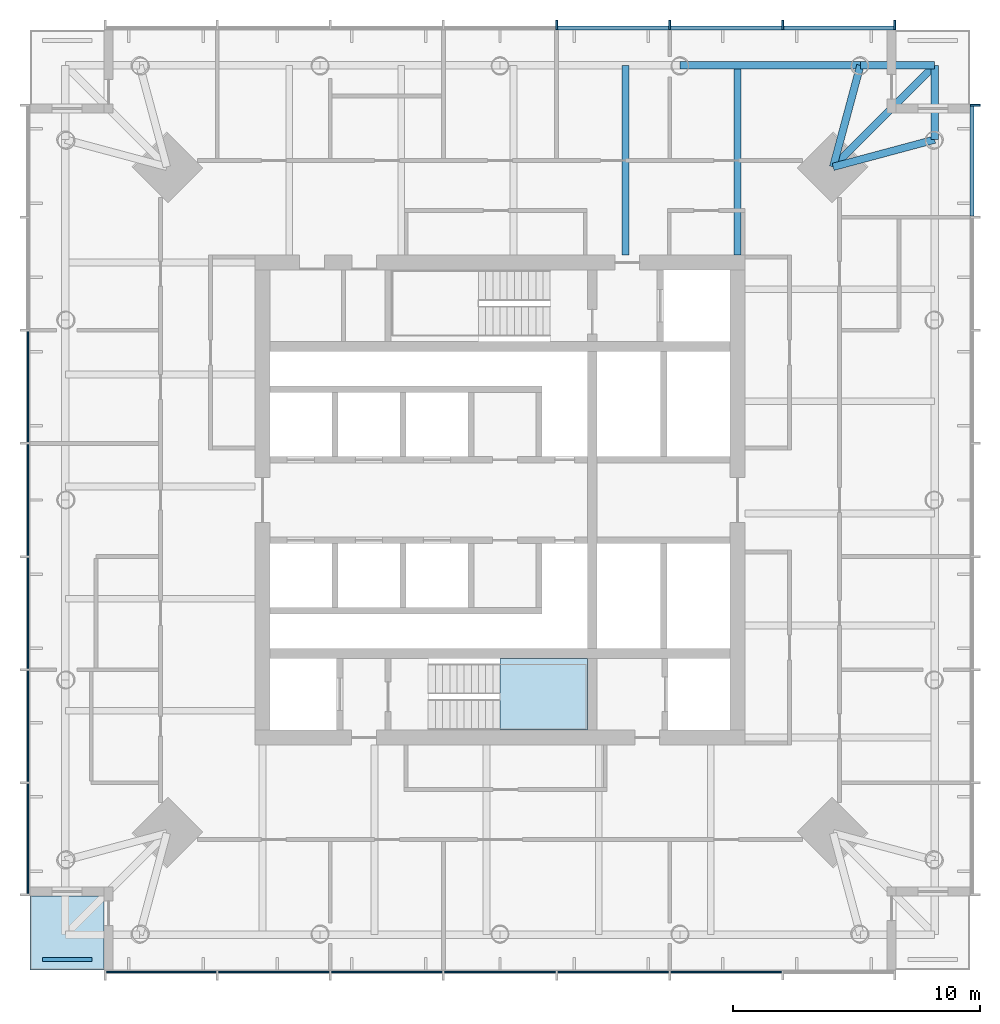
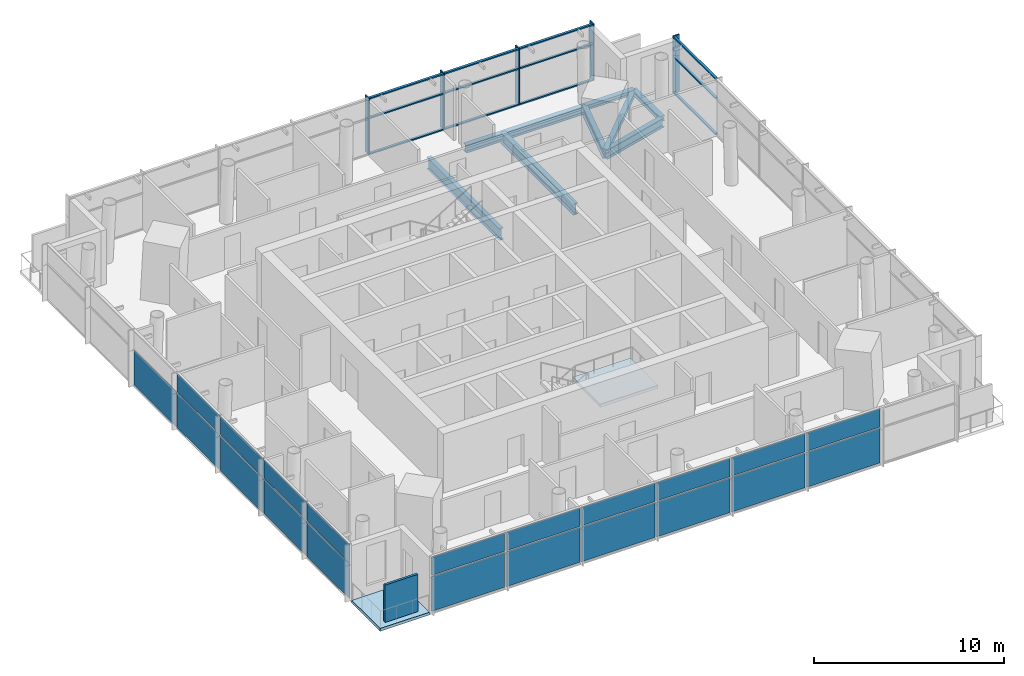
# One storey, part 4 of 10: 22 members, 22 plates, 8 beams, 2 slabs, 9 elements without a shape of their own.
"""IFC4 building model written with IfcOpenShell, lengths in metres."""

from ifc_helpers import new_model, si_unit, direction, frame, origin, origin_2d, place, context, subcontext, project, spatial, polyline, rectangle, i_section, outline, extrude, material, layer, layer_set, material_profile, profile_set, type_object, element, aggregate, save


model = new_model("IFC4")

# Units and contexts
model_context = context("Model", 3, precision=1e-05, world=origin(), true_north=direction((0.0, 1.0)))
body_context = subcontext(model_context, "Body", "Model", "MODEL_VIEW")
ifc_project = project(units=[si_unit("LENGTHUNIT", "METRE"), si_unit("AREAUNIT", "SQUARE_METRE"), si_unit("VOLUMEUNIT", "CUBIC_METRE"), si_unit("PLANEANGLEUNIT", "RADIAN"), si_unit("MASSUNIT", "GRAM", prefix="KILO")], contexts=[model_context])

# Site, building, storey
site_placement = place(None, origin())
site = spatial("IfcSite", under=ifc_project, at=site_placement, CompositionType="ELEMENT")
building_placement = place(site_placement, origin())
building = spatial("IfcBuilding", under=site, at=building_placement, Name="Ostroluk Exchange", CompositionType="ELEMENT")
storey_placement = place(building_placement, frame((0.0, 0.0, 222.39990234375)))
storey = spatial("IfcBuildingStorey", under=building, at=storey_placement, Name="L57", CompositionType="ELEMENT", Elevation=222.39990234375)

# Beams
ifc_material_1 = material(Name="Steel S355", Category="steel")
ifc_material_profile_1 = material_profile(ifc_material_1, i_section(OverallWidth=0.300048828125, OverallDepth=0.300048828125, WebThickness=0.010986328125, FlangeThickness=0.01904296875, FilletRadius=0.027099609375, at=origin_2d()), Name="HEB 300")
ifc_profile_set_1 = profile_set([ifc_material_profile_1], Name="Steel S355")
beam_type_1 = type_object("IfcBeamType", Name="Balcony beam HEB 300", PredefinedType="BEAM", material=ifc_profile_set_1)
for number, where, z_axis, x_axis, name in (
    (1, (62.564208984375, 60.564208984375, -0.329833984375), (0.0, 1.0, 0.0), (-1.0, 0.0, 0.0), "T1 east balcony beam a"),
    (2, (59.564208984375, 63.564208984375, -0.329833984375), (1.0, 0.0, 0.0), (0.0, 1.0, 0.0), "T1 east balcony beam b"),
):
    element("IfcBeam", number, at=place(storey_placement, frame(where, z_axis=z_axis, x_axis=x_axis)), inside=storey, type_object=beam_type_1, Name=name, PredefinedType="BEAM", context=body_context, shape_type="SweptSolid", body=[
        extrude(i_section(OverallWidth=0.300048828125, OverallDepth=0.300048828125, WebThickness=0.010986328125, FlangeThickness=0.01904296875, FilletRadius=0.027099609375, at=origin_2d()), origin(), (0.0, 0.0, 1.0), 3.0),
    ])
beam_1_placement = place(storey_placement, frame((58.46435546875, 59.46435546875, -0.329833984375), z_axis=(0.707106781187, 0.707106781187, 0.0), x_axis=(-0.707106781187, 0.707106781187, 0.0)))
element("IfcBeam", 3, at=beam_1_placement, inside=storey, type_object=beam_type_1, Name="T1 east balcony beam c", PredefinedType="BEAM", context=body_context, shape_type="SweptSolid", body=[
    extrude(i_section(OverallWidth=0.300048828125, OverallDepth=0.300048828125, WebThickness=0.010986328125, FlangeThickness=0.01904296875, FilletRadius=0.027099609375, at=origin_2d()), origin(), (0.0, 0.0, 1.0), 5.798095703125),
])
ifc_material_2 = material(Name="Steel S355", Category="steel")
ifc_material_profile_2 = material_profile(ifc_material_2, i_section(OverallWidth=0.300048828125, OverallDepth=0.60009765625, WebThickness=0.015380859375, FlangeThickness=0.030029296875, FilletRadius=0.027099609375, at=origin_2d()), Name="HEB 600")
ifc_profile_set_2 = profile_set([ifc_material_profile_2], Name="Steel S355")
beam_type_2 = type_object("IfcBeamType", Name="Corner edge beam HEB 600", PredefinedType="SPANDREL", material=ifc_profile_set_2)
for number, where, z_axis, x_axis, name in (
    (4, (58.46435546875, 59.46435546875, -0.47998046875), (0.965849156574, 0.259105011038, 0.0), (-0.259105011038, 0.965849156574, 0.0), "T1 east corner edge beam a"),
    (5, (58.46435546875, 59.46435546875, -0.47998046875), (0.259105011038, 0.965849156574, 0.0), (-0.965849156574, 0.259105011038, 0.0), "T1 east corner edge beam b"),
):
    element("IfcBeam", number, at=place(storey_placement, frame(where, z_axis=z_axis, x_axis=x_axis)), inside=storey, type_object=beam_type_2, Name=name, PredefinedType="SPANDREL", context=body_context, shape_type="SweptSolid", body=[
        extrude(i_section(OverallWidth=0.300048828125, OverallDepth=0.60009765625, WebThickness=0.015380859375, FlangeThickness=0.030029296875, FilletRadius=0.027099609375, at=origin_2d()), origin(), (0.0, 0.0, 1.0), 4.244873046875),
    ])
ifc_material_3 = material(Name="Steel S355", Category="steel")
ifc_material_profile_3 = material_profile(ifc_material_3, i_section(OverallWidth=0.264892578125, OverallDepth=0.7529296875, WebThickness=0.01318359375, FlangeThickness=0.01708984375, FilletRadius=0.01708984375, at=origin_2d()), Name="IPE 750x147")
ifc_profile_set_3 = profile_set([ifc_material_profile_3], Name="Steel S355")
beam_type_3 = type_object("IfcBeamType", Name="Floor beam IPE 750x147", PredefinedType="BEAM", material=ifc_profile_set_3)
beam_2_placement = place(storey_placement, frame((50.072509765625, 55.89990234375, -0.556396484375), z_axis=(0.0, 1.0, 0.0), x_axis=(-1.0, 0.0, 0.0)))
element("IfcBeam", 6, at=beam_2_placement, inside=storey, type_object=beam_type_3, Name="T1 north floor beam 1", PredefinedType="BEAM", context=body_context, shape_type="SweptSolid", body=[
    extrude(i_section(OverallWidth=0.264892578125, OverallDepth=0.7529296875, WebThickness=0.01318359375, FlangeThickness=0.01708984375, FilletRadius=0.01708984375, at=origin_2d()), origin(), (0.0, 0.0, 1.0), 7.664306640625),
])
ifc_material_4 = material(Name="Steel S355", Category="steel")
ifc_material_profile_4 = material_profile(ifc_material_4, i_section(OverallWidth=0.300048828125, OverallDepth=0.699951171875, WebThickness=0.01708984375, FlangeThickness=0.031982421875, FilletRadius=0.027099609375, at=origin_2d()), Name="HEB 700")
ifc_profile_set_4 = profile_set([ifc_material_profile_4], Name="Steel S355")
beam_type_4 = type_object("IfcBeamType", Name="Girder HEB 700", PredefinedType="BEAM", material=ifc_profile_set_4)
beam_3_placement = place(storey_placement, frame((54.60009765625, 55.89990234375, -0.52978515625), z_axis=(0.0, 1.0, 0.0), x_axis=(-1.0, 0.0, 0.0)))
element("IfcBeam", 7, at=beam_3_placement, inside=storey, type_object=beam_type_4, Name="T1 east girder", PredefinedType="BEAM", context=body_context, shape_type="SweptSolid", body=[
    extrude(i_section(OverallWidth=0.300048828125, OverallDepth=0.699951171875, WebThickness=0.01708984375, FlangeThickness=0.031982421875, FilletRadius=0.027099609375, at=origin_2d()), origin(), (0.0, 0.0, 1.0), 7.664306640625),
])
ifc_material_5 = material(Name="Steel S355", Category="steel")
ifc_material_profile_5 = material_profile(ifc_material_5, i_section(OverallWidth=0.300048828125, OverallDepth=0.5, WebThickness=0.014404296875, FlangeThickness=0.028076171875, FilletRadius=0.027099609375, at=origin_2d()), Name="HEB 500")
ifc_profile_set_5 = profile_set([ifc_material_profile_5], Name="Steel S355")
beam_type_5 = type_object("IfcBeamType", Name="Moment-connected edge beam HEB 500", PredefinedType="SPANDREL", material=ifc_profile_set_5)
beam_4_placement = place(storey_placement, frame((59.564208984375, 63.564208984375, -0.429931640625), z_axis=(-1.0, 0.0, 0.0), x_axis=(0.0, -1.0, 0.0)))
element("IfcBeam", 8, at=beam_4_placement, inside=storey, type_object=beam_type_5, Name="T1 north edge beam 1", PredefinedType="SPANDREL", context=body_context, shape_type="SweptSolid", body=[
    extrude(i_section(OverallWidth=0.300048828125, OverallDepth=0.5, WebThickness=0.014404296875, FlangeThickness=0.028076171875, FilletRadius=0.027099609375, at=origin_2d()), origin(), (0.0, 0.0, 1.0), 7.281982421875),
])

# Curtain wall, member
ifc_material_6 = material(Name="Laminated clear glass", Category="glass")
curtain_wall_type = type_object("IfcCurtainWallType", Name="Office tower facade", PredefinedType="USERDEFINED", material=ifc_material_6)
curtain_wall_1_placement = place(storey_placement, origin())
curtain_wall_1 = element("IfcCurtainWall", 9, at=curtain_wall_1_placement, inside=storey, type_object=curtain_wall_type, Name="Office tower east facade L57", ObjectType="UNITISED CURTAIN WALL", PredefinedType="USERDEFINED")
ifc_material_7 = material(Name="Aluminium mullion", Category="aluminium")
ifc_material_profile_6 = material_profile(ifc_material_7, rectangle(XDim=0.14990234375, YDim=0.080078125, at=origin_2d()), Name="Sill transom 80 x 150")
ifc_profile_set_6 = profile_set([ifc_material_profile_6], Name="Aluminium mullion")
member_type_1 = type_object("IfcMemberType", Name="Sill transom 80 x 150", PredefinedType="USERDEFINED", material=ifc_profile_set_6)
member_1_placement = place(storey_placement, frame((64.074951171875, 57.468505859375, 0.0400390625), z_axis=(0.0, 1.0, 0.0), x_axis=(-1.0, 0.0, 0.0)))
member_1 = element("IfcMember", 10, at=member_1_placement, type_object=member_type_1, Name="CW-O1 transom 7.1", ObjectType="TRANSOM", PredefinedType="USERDEFINED", context=body_context, shape_type="SweptSolid", body=[
    extrude(rectangle(XDim=0.14990234375, YDim=0.080078125, at=origin_2d()), origin(), (0.0, 0.0, 1.0), 4.451416015625),
])

# Curtain wall, members
curtain_wall_2_placement = place(storey_placement, origin())
curtain_wall_2 = element("IfcCurtainWall", 11, at=curtain_wall_2_placement, inside=storey, type_object=curtain_wall_type, Name="Office tower east spandrel L57", ObjectType="UNITISED CURTAIN WALL", PredefinedType="USERDEFINED")
member_2_placement = place(storey_placement, frame((64.074951171875, 57.468505859375, 2.353515625), z_axis=(0.0, 1.0, 0.0), x_axis=(-1.0, 0.0, 0.0)))
member_2 = element("IfcMember", 12, at=member_2_placement, type_object=member_type_1, Name="CW-O1 transom 7.1", ObjectType="TRANSOM", PredefinedType="USERDEFINED", context=body_context, shape_type="SweptSolid", body=[
    extrude(rectangle(XDim=0.14990234375, YDim=0.080078125, at=origin_2d()), origin(), (0.0, 0.0, 1.0), 4.451416015625),
])
member_3_placement = place(storey_placement, frame((64.074951171875, 57.468505859375, 3.610107421875), z_axis=(0.0, 1.0, 0.0), x_axis=(-1.0, 0.0, 0.0)))
member_3 = element("IfcMember", 13, at=member_3_placement, type_object=member_type_1, Name="CW-O1 transom 7.2", ObjectType="TRANSOM", PredefinedType="USERDEFINED", context=body_context, shape_type="SweptSolid", body=[
    extrude(rectangle(XDim=0.14990234375, YDim=0.080078125, at=origin_2d()), origin(), (0.0, 0.0, 1.0), 4.451416015625),
])

curtain_wall_3_placement = place(storey_placement, origin())
curtain_wall_3 = element("IfcCurtainWall", 14, at=curtain_wall_3_placement, inside=storey, type_object=curtain_wall_type, Name="Office tower north facade L57", ObjectType="UNITISED CURTAIN WALL", PredefinedType="USERDEFINED")
member_4_placement = place(storey_placement, frame((60.919921875, 65.074951171875, 0.0400390625), z_axis=(-1.0, 0.0, 0.0), x_axis=(0.0, -1.0, 0.0)))
member_4 = element("IfcMember", 15, at=member_4_placement, type_object=member_type_1, Name="CW-O1 transom 1.1", ObjectType="TRANSOM", PredefinedType="USERDEFINED", context=body_context, shape_type="SweptSolid", body=[
    extrude(rectangle(XDim=0.14990234375, YDim=0.080078125, at=origin_2d()), origin(), (0.0, 0.0, 1.0), 4.451416015625),
])
member_5_placement = place(storey_placement, frame((56.388671875, 65.074951171875, 0.0400390625), z_axis=(-1.0, 0.0, 0.0), x_axis=(0.0, -1.0, 0.0)))
member_5 = element("IfcMember", 16, at=member_5_placement, type_object=member_type_1, Name="CW-O1 transom 2.1", ObjectType="TRANSOM", PredefinedType="USERDEFINED", context=body_context, shape_type="SweptSolid", body=[
    extrude(rectangle(XDim=0.14990234375, YDim=0.080078125, at=origin_2d()), origin(), (0.0, 0.0, 1.0), 4.491455078125),
])
member_6_placement = place(storey_placement, frame((51.817138671875, 65.074951171875, 0.0400390625), z_axis=(-1.0, 0.0, 0.0), x_axis=(0.0, -1.0, 0.0)))
member_6 = element("IfcMember", 17, at=member_6_placement, type_object=member_type_1, Name="CW-O1 transom 3.1", ObjectType="TRANSOM", PredefinedType="USERDEFINED", context=body_context, shape_type="SweptSolid", body=[
    extrude(rectangle(XDim=0.14990234375, YDim=0.080078125, at=origin_2d()), origin(), (0.0, 0.0, 1.0), 4.491455078125),
])

curtain_wall_4_placement = place(storey_placement, origin())
curtain_wall_4 = element("IfcCurtainWall", 18, at=curtain_wall_4_placement, inside=storey, type_object=curtain_wall_type, Name="Office tower north spandrel L57", ObjectType="UNITISED CURTAIN WALL", PredefinedType="USERDEFINED")
member_7_placement = place(storey_placement, frame((60.919921875, 65.074951171875, 2.353515625), z_axis=(-1.0, 0.0, 0.0), x_axis=(0.0, -1.0, 0.0)))
member_7 = element("IfcMember", 19, at=member_7_placement, type_object=member_type_1, Name="CW-O1 transom 1.1", ObjectType="TRANSOM", PredefinedType="USERDEFINED", context=body_context, shape_type="SweptSolid", body=[
    extrude(rectangle(XDim=0.14990234375, YDim=0.080078125, at=origin_2d()), origin(), (0.0, 0.0, 1.0), 4.451416015625),
])
member_8_placement = place(storey_placement, frame((60.919921875, 65.074951171875, 3.610107421875), z_axis=(-1.0, 0.0, 0.0), x_axis=(0.0, -1.0, 0.0)))
member_8 = element("IfcMember", 20, at=member_8_placement, type_object=member_type_1, Name="CW-O1 transom 1.2", ObjectType="TRANSOM", PredefinedType="USERDEFINED", context=body_context, shape_type="SweptSolid", body=[
    extrude(rectangle(XDim=0.14990234375, YDim=0.080078125, at=origin_2d()), origin(), (0.0, 0.0, 1.0), 4.451416015625),
])
member_9_placement = place(storey_placement, frame((56.388671875, 65.074951171875, 2.353515625), z_axis=(-1.0, 0.0, 0.0), x_axis=(0.0, -1.0, 0.0)))
member_9 = element("IfcMember", 21, at=member_9_placement, type_object=member_type_1, Name="CW-O1 transom 2.1", ObjectType="TRANSOM", PredefinedType="USERDEFINED", context=body_context, shape_type="SweptSolid", body=[
    extrude(rectangle(XDim=0.14990234375, YDim=0.080078125, at=origin_2d()), origin(), (0.0, 0.0, 1.0), 4.491455078125),
])
member_10_placement = place(storey_placement, frame((56.388671875, 65.074951171875, 3.610107421875), z_axis=(-1.0, 0.0, 0.0), x_axis=(0.0, -1.0, 0.0)))
member_10 = element("IfcMember", 22, at=member_10_placement, type_object=member_type_1, Name="CW-O1 transom 2.2", ObjectType="TRANSOM", PredefinedType="USERDEFINED", context=body_context, shape_type="SweptSolid", body=[
    extrude(rectangle(XDim=0.14990234375, YDim=0.080078125, at=origin_2d()), origin(), (0.0, 0.0, 1.0), 4.491455078125),
])
member_11_placement = place(storey_placement, frame((51.817138671875, 65.074951171875, 2.353515625), z_axis=(-1.0, 0.0, 0.0), x_axis=(0.0, -1.0, 0.0)))
member_11 = element("IfcMember", 23, at=member_11_placement, type_object=member_type_1, Name="CW-O1 transom 3.1", ObjectType="TRANSOM", PredefinedType="USERDEFINED", context=body_context, shape_type="SweptSolid", body=[
    extrude(rectangle(XDim=0.14990234375, YDim=0.080078125, at=origin_2d()), origin(), (0.0, 0.0, 1.0), 4.491455078125),
])
member_12_placement = place(storey_placement, frame((51.817138671875, 65.074951171875, 3.610107421875), z_axis=(-1.0, 0.0, 0.0), x_axis=(0.0, -1.0, 0.0)))
member_12 = element("IfcMember", 24, at=member_12_placement, type_object=member_type_1, Name="CW-O1 transom 3.2", ObjectType="TRANSOM", PredefinedType="USERDEFINED", context=body_context, shape_type="SweptSolid", body=[
    extrude(rectangle(XDim=0.14990234375, YDim=0.080078125, at=origin_2d()), origin(), (0.0, 0.0, 1.0), 4.491455078125),
])

# Member
ifc_material_8 = material(Name="Aluminium mullion with limestone facing", Category="masonry")
ifc_material_profile_7 = material_profile(ifc_material_8, rectangle(XDim=0.39990234375, YDim=0.080078125, at=origin_2d()), Name="Tracery mullion 80 x 400")
ifc_profile_set_7 = profile_set([ifc_material_profile_7], Name="Aluminium mullion with limestone facing")
member_type_2 = type_object("IfcMemberType", Name="Tracery mullion 80 x 400", PredefinedType="MULLION", material=ifc_profile_set_7)
member_13_placement = place(storey_placement, frame((64.199951171875, 61.9599609375, 0.0), z_axis=(0.0, 0.0, 1.0), x_axis=(-1.0, 0.0, 0.0)))
member_13 = element("IfcMember", 25, at=member_13_placement, type_object=member_type_2, Name="CW-O1 mullion 8", PredefinedType="MULLION", context=body_context, shape_type="SweptSolid", body=[
    extrude(rectangle(XDim=0.39990234375, YDim=0.080078125, at=origin_2d()), origin(), (0.0, 0.0, 1.0), 2.3134765625),
])

aggregate(curtain_wall_1, [member_13, member_1])

member_14_placement = place(storey_placement, frame((64.199951171875, 61.9599609375, 2.3134765625), z_axis=(0.0, 0.0, 1.0), x_axis=(-1.0, 0.0, 0.0)))
member_14 = element("IfcMember", 26, at=member_14_placement, type_object=member_type_2, Name="CW-O1 mullion 8", PredefinedType="MULLION", context=body_context, shape_type="SweptSolid", body=[
    extrude(rectangle(XDim=0.39990234375, YDim=0.080078125, at=origin_2d()), origin(), (0.0, 0.0, 1.0), 1.336669921875),
])

aggregate(curtain_wall_2, [member_14, member_2, member_3])

member_15_placement = place(storey_placement, frame((60.9599609375, 65.199951171875, 0.0), z_axis=(0.0, 0.0, 1.0), x_axis=(0.0, -1.0, 0.0)))
member_15 = element("IfcMember", 27, at=member_15_placement, type_object=member_type_2, Name="CW-O1 mullion 1", PredefinedType="MULLION", context=body_context, shape_type="SweptSolid", body=[
    extrude(rectangle(XDim=0.39990234375, YDim=0.080078125, at=origin_2d()), origin(), (0.0, 0.0, 1.0), 2.3134765625),
])

member_16_placement = place(storey_placement, frame((56.428466796875, 65.199951171875, 0.0), z_axis=(0.0, 0.0, 1.0), x_axis=(0.0, -1.0, 0.0)))
member_16 = element("IfcMember", 28, at=member_16_placement, type_object=member_type_2, Name="CW-O1 mullion 2", PredefinedType="MULLION", context=body_context, shape_type="SweptSolid", body=[
    extrude(rectangle(XDim=0.39990234375, YDim=0.080078125, at=origin_2d()), origin(), (0.0, 0.0, 1.0), 2.3134765625),
])

member_17_placement = place(storey_placement, frame((51.857177734375, 65.199951171875, 0.0), z_axis=(0.0, 0.0, 1.0), x_axis=(0.0, -1.0, 0.0)))
member_17 = element("IfcMember", 29, at=member_17_placement, type_object=member_type_2, Name="CW-O1 mullion 3", PredefinedType="MULLION", context=body_context, shape_type="SweptSolid", body=[
    extrude(rectangle(XDim=0.39990234375, YDim=0.080078125, at=origin_2d()), origin(), (0.0, 0.0, 1.0), 2.3134765625),
])

member_18_placement = place(storey_placement, frame((47.28564453125, 65.199951171875, 0.0), z_axis=(0.0, 0.0, 1.0), x_axis=(0.0, -1.0, 0.0)))
member_18 = element("IfcMember", 30, at=member_18_placement, type_object=member_type_2, Name="CW-O1 mullion 4", PredefinedType="MULLION", context=body_context, shape_type="SweptSolid", body=[
    extrude(rectangle(XDim=0.39990234375, YDim=0.080078125, at=origin_2d()), origin(), (0.0, 0.0, 1.0), 2.3134765625),
])

aggregate(curtain_wall_3, [member_15, member_16, member_17, member_18, member_4, member_5, member_6])

member_19_placement = place(storey_placement, frame((60.9599609375, 65.199951171875, 2.3134765625), z_axis=(0.0, 0.0, 1.0), x_axis=(0.0, -1.0, 0.0)))
member_19 = element("IfcMember", 31, at=member_19_placement, type_object=member_type_2, Name="CW-O1 mullion 1", PredefinedType="MULLION", context=body_context, shape_type="SweptSolid", body=[
    extrude(rectangle(XDim=0.39990234375, YDim=0.080078125, at=origin_2d()), origin(), (0.0, 0.0, 1.0), 1.336669921875),
])

member_20_placement = place(storey_placement, frame((56.428466796875, 65.199951171875, 2.3134765625), z_axis=(0.0, 0.0, 1.0), x_axis=(0.0, -1.0, 0.0)))
member_20 = element("IfcMember", 32, at=member_20_placement, type_object=member_type_2, Name="CW-O1 mullion 2", PredefinedType="MULLION", context=body_context, shape_type="SweptSolid", body=[
    extrude(rectangle(XDim=0.39990234375, YDim=0.080078125, at=origin_2d()), origin(), (0.0, 0.0, 1.0), 1.336669921875),
])

member_21_placement = place(storey_placement, frame((51.857177734375, 65.199951171875, 2.3134765625), z_axis=(0.0, 0.0, 1.0), x_axis=(0.0, -1.0, 0.0)))
member_21 = element("IfcMember", 33, at=member_21_placement, type_object=member_type_2, Name="CW-O1 mullion 3", PredefinedType="MULLION", context=body_context, shape_type="SweptSolid", body=[
    extrude(rectangle(XDim=0.39990234375, YDim=0.080078125, at=origin_2d()), origin(), (0.0, 0.0, 1.0), 1.336669921875),
])

member_22_placement = place(storey_placement, frame((47.28564453125, 65.199951171875, 2.3134765625), z_axis=(0.0, 0.0, 1.0), x_axis=(0.0, -1.0, 0.0)))
member_22 = element("IfcMember", 34, at=member_22_placement, type_object=member_type_2, Name="CW-O1 mullion 4", PredefinedType="MULLION", context=body_context, shape_type="SweptSolid", body=[
    extrude(rectangle(XDim=0.39990234375, YDim=0.080078125, at=origin_2d()), origin(), (0.0, 0.0, 1.0), 1.336669921875),
])

aggregate(curtain_wall_4, [member_19, member_20, member_21, member_22, member_7, member_8, member_9, member_10, member_11, member_12])

# Slab
ifc_material_9 = material(Name="Concrete C35/45", Category="concrete")
ifc_layer_1 = layer(ifc_material_9, 0.179931640625)
ifc_layer_set_1 = layer_set([ifc_layer_1], Name="Balcony slab 180")
slab_type_1 = type_object("IfcSlabType", Name="Balcony slab 180", PredefinedType="USERDEFINED", material=ifc_layer_set_1)
slab_1_placement = place(storey_placement, frame((0.0, 0.0, -0.179931640625)))
element("IfcSlab", 35, at=slab_1_placement, inside=storey, type_object=slab_type_1, Name="Office tower SW corner balcony L57", ObjectType="BALCONY", PredefinedType="USERDEFINED", context=body_context, shape_type="SweptSolid", body=[
    extrude(outline(polyline([(26.0, 27.0), (29.0, 27.0), (29.0, 30.0), (26.0, 30.0), (26.0, 27.0)])), origin(), (0.0, 0.0, 1.0), 0.179931640625),
])

# Curtain wall, plates
curtain_wall_5_placement = place(storey_placement, origin())
curtain_wall_5 = element("IfcCurtainWall", 36, at=curtain_wall_5_placement, inside=storey, type_object=curtain_wall_type, Name="Office tower south spandrel L57", ObjectType="UNITISED CURTAIN WALL", PredefinedType="USERDEFINED")
ifc_material_10 = material(Name="Insulated aluminium spandrel", Category="aluminium")
ifc_layer_2 = layer(ifc_material_10, 0.0439453125)
ifc_layer_set_2 = layer_set([ifc_layer_2], Name="Insulated spandrel panel 44")
plate_type_1 = type_object("IfcPlateType", Name="Insulated spandrel panel 44", PredefinedType="CURTAIN_PANEL", material=ifc_layer_set_2)
plate_1_placement = place(storey_placement, frame((31.3056640625, 26.925048828125, 2.3935546875), z_axis=(0.0, 0.0, 1.0), x_axis=(1.0, 0.0, 0.0)))
plate_1 = element("IfcPlate", 37, at=plate_1_placement, type_object=plate_type_1, Name="CW-O1 panel 1.1", PredefinedType="CURTAIN_PANEL", context=body_context, shape_type="SweptSolid", body=[
    extrude(rectangle(XDim=4.451416015625, YDim=0.0439453125, at=origin_2d()), origin(), (0.0, 0.0, 1.0), 1.176513671875),
])
plate_2_placement = place(storey_placement, frame((35.857177734375, 26.925048828125, 2.3935546875), z_axis=(0.0, 0.0, 1.0), x_axis=(1.0, 0.0, 0.0)))
plate_2 = element("IfcPlate", 38, at=plate_2_placement, type_object=plate_type_1, Name="CW-O1 panel 2.1", PredefinedType="CURTAIN_PANEL", context=body_context, shape_type="SweptSolid", body=[
    extrude(rectangle(XDim=4.491455078125, YDim=0.0439453125, at=origin_2d()), origin(), (0.0, 0.0, 1.0), 1.176513671875),
])
plate_3_placement = place(storey_placement, frame((40.428466796875, 26.925048828125, 2.3935546875), z_axis=(0.0, 0.0, 1.0), x_axis=(1.0, 0.0, 0.0)))
plate_3 = element("IfcPlate", 39, at=plate_3_placement, type_object=plate_type_1, Name="CW-O1 panel 3.1", PredefinedType="CURTAIN_PANEL", context=body_context, shape_type="SweptSolid", body=[
    extrude(rectangle(XDim=4.491455078125, YDim=0.0439453125, at=origin_2d()), origin(), (0.0, 0.0, 1.0), 1.176513671875),
])
plate_4_placement = place(storey_placement, frame((45.0, 26.925048828125, 2.3935546875), z_axis=(0.0, 0.0, 1.0), x_axis=(1.0, 0.0, 0.0)))
plate_4 = element("IfcPlate", 40, at=plate_4_placement, type_object=plate_type_1, Name="CW-O1 panel 4.1", PredefinedType="CURTAIN_PANEL", context=body_context, shape_type="SweptSolid", body=[
    extrude(rectangle(XDim=4.491455078125, YDim=0.0439453125, at=origin_2d()), origin(), (0.0, 0.0, 1.0), 1.176513671875),
])
plate_5_placement = place(storey_placement, frame((49.571533203125, 26.925048828125, 2.3935546875), z_axis=(0.0, 0.0, 1.0), x_axis=(1.0, 0.0, 0.0)))
plate_5 = element("IfcPlate", 41, at=plate_5_placement, type_object=plate_type_1, Name="CW-O1 panel 5.1", PredefinedType="CURTAIN_PANEL", context=body_context, shape_type="SweptSolid", body=[
    extrude(rectangle(XDim=4.491455078125, YDim=0.0439453125, at=origin_2d()), origin(), (0.0, 0.0, 1.0), 1.176513671875),
])
plate_6_placement = place(storey_placement, frame((54.142822265625, 26.925048828125, 2.3935546875), z_axis=(0.0, 0.0, 1.0), x_axis=(1.0, 0.0, 0.0)))
plate_6 = element("IfcPlate", 42, at=plate_6_placement, type_object=plate_type_1, Name="CW-O1 panel 6.1", PredefinedType="CURTAIN_PANEL", context=body_context, shape_type="SweptSolid", body=[
    extrude(rectangle(XDim=4.491455078125, YDim=0.0439453125, at=origin_2d()), origin(), (0.0, 0.0, 1.0), 1.176513671875),
])
aggregate(curtain_wall_5, [plate_1, plate_2, plate_3, plate_4, plate_5, plate_6])

curtain_wall_6_placement = place(storey_placement, origin())
curtain_wall_6 = element("IfcCurtainWall", 43, at=curtain_wall_6_placement, inside=storey, type_object=curtain_wall_type, Name="Office tower west spandrel L57", ObjectType="UNITISED CURTAIN WALL", PredefinedType="USERDEFINED")
plate_7_placement = place(storey_placement, frame((25.925048828125, 46.0, 2.3935546875), z_axis=(0.0, 0.0, 1.0), x_axis=(0.0, -1.0, 0.0)))
plate_7 = element("IfcPlate", 44, at=plate_7_placement, type_object=plate_type_1, Name="CW-O1 panel 4.1", PredefinedType="CURTAIN_PANEL", context=body_context, shape_type="SweptSolid", body=[
    extrude(rectangle(XDim=4.491455078125, YDim=0.0439453125, at=origin_2d()), origin(), (0.0, 0.0, 1.0), 1.176513671875),
])
plate_8_placement = place(storey_placement, frame((25.925048828125, 41.428466796875, 2.3935546875), z_axis=(0.0, 0.0, 1.0), x_axis=(0.0, -1.0, 0.0)))
plate_8 = element("IfcPlate", 45, at=plate_8_placement, type_object=plate_type_1, Name="CW-O1 panel 5.1", PredefinedType="CURTAIN_PANEL", context=body_context, shape_type="SweptSolid", body=[
    extrude(rectangle(XDim=4.491455078125, YDim=0.0439453125, at=origin_2d()), origin(), (0.0, 0.0, 1.0), 1.176513671875),
])
plate_9_placement = place(storey_placement, frame((25.925048828125, 36.857177734375, 2.3935546875), z_axis=(0.0, 0.0, 1.0), x_axis=(0.0, -1.0, 0.0)))
plate_9 = element("IfcPlate", 46, at=plate_9_placement, type_object=plate_type_1, Name="CW-O1 panel 6.1", PredefinedType="CURTAIN_PANEL", context=body_context, shape_type="SweptSolid", body=[
    extrude(rectangle(XDim=4.491455078125, YDim=0.0439453125, at=origin_2d()), origin(), (0.0, 0.0, 1.0), 1.176513671875),
])
plate_10_placement = place(storey_placement, frame((25.925048828125, 32.3056640625, 2.3935546875), z_axis=(0.0, 0.0, 1.0), x_axis=(0.0, -1.0, 0.0)))
plate_10 = element("IfcPlate", 47, at=plate_10_placement, type_object=plate_type_1, Name="CW-O1 panel 7.1", PredefinedType="CURTAIN_PANEL", context=body_context, shape_type="SweptSolid", body=[
    extrude(rectangle(XDim=4.451416015625, YDim=0.0439453125, at=origin_2d()), origin(), (0.0, 0.0, 1.0), 1.176513671875),
])
aggregate(curtain_wall_6, [plate_7, plate_8, plate_9, plate_10])

# Plate
ifc_material_11 = material(Name="Steel S355 trellis with planting", Category="steel")
ifc_layer_3 = layer(ifc_material_11, 0.14990234375)
ifc_layer_set_3 = layer_set([ifc_layer_3], Name="Planted screen 150")
plate_type_2 = type_object("IfcPlateType", Name="Planted screen 150", PredefinedType="USERDEFINED", material=ifc_layer_set_3)
plate_11_placement = place(storey_placement, frame((27.5, 27.425048828125, 0.000244140625), z_axis=(0.0, 0.0, 1.0), x_axis=(1.0, 0.0, 0.0)))
element("IfcPlate", 48, at=plate_11_placement, inside=storey, type_object=plate_type_2, Name="Office tower SW planted screen L57", ObjectType="PLANTED SCREEN", PredefinedType="USERDEFINED", context=body_context, shape_type="SweptSolid", body=[
    extrude(rectangle(XDim=2.0, YDim=0.14990234375, at=origin_2d()), origin(), (0.0, 0.0, 1.0), 2.39990234375),
])

# Stair, slab
ifc_material_12 = material(Name="Concrete C30/37", Category="concrete")
stair_type = type_object("IfcStairType", Name="Exit stair half turn 3800", PredefinedType="HALF_TURN_STAIR", material=ifc_material_12)
stair_placement = place(storey_placement, origin())
stair = element("IfcStair", 49, at=stair_placement, inside=storey, type_object=stair_type, Name="Stair T1-S1 L57", PredefinedType="HALF_TURN_STAIR")
ifc_material_13 = material(Name="Concrete C30/37", Category="concrete")
ifc_layer_4 = layer(ifc_material_13, 0.199951171875)
ifc_layer_set_4 = layer_set([ifc_layer_4], Name="Stair landing 200")
slab_type_2 = type_object("IfcSlabType", Name="Stair landing 200", PredefinedType="LANDING", material=ifc_layer_set_4)
slab_2_placement = place(storey_placement, frame((0.0, 0.0, 1.7001953125)))
slab_2 = element("IfcSlab", 50, at=slab_2_placement, type_object=slab_type_2, Name="T1-S1 landing 1", PredefinedType="LANDING", context=body_context, shape_type="SweptSolid", body=[
    extrude(outline(polyline([(45.0, 36.699951171875), (45.0, 39.60009765625), (48.530029296875, 39.60009765625), (48.530029296875, 36.699951171875), (45.0, 36.699951171875)])), origin(), (0.0, 0.0, 1.0), 0.199951171875),
])
aggregate(stair, [slab_2])

# Curtain wall, plates
curtain_wall_7_placement = place(storey_placement, origin())
curtain_wall_7 = element("IfcCurtainWall", 51, at=curtain_wall_7_placement, inside=storey, type_object=curtain_wall_type, Name="Office tower south facade L57", ObjectType="UNITISED CURTAIN WALL", PredefinedType="USERDEFINED")
ifc_material_14 = material(Name="Laminated clear glass", Category="glass")
ifc_layer_5 = layer(ifc_material_14, 0.0439453125)
ifc_layer_set_5 = layer_set([ifc_layer_5], Name="Triple laminated clear glazing 44")
plate_type_3 = type_object("IfcPlateType", Name="Triple laminated clear glazing 44", PredefinedType="CURTAIN_PANEL", material=ifc_layer_set_5)
plate_12_placement = place(storey_placement, frame((31.3056640625, 26.925048828125, 0.080078125), z_axis=(0.0, 0.0, 1.0), x_axis=(1.0, 0.0, 0.0)))
plate_12 = element("IfcPlate", 52, at=plate_12_placement, type_object=plate_type_3, Name="CW-O1 panel 1.1", PredefinedType="CURTAIN_PANEL", context=body_context, shape_type="SweptSolid", body=[
    extrude(rectangle(XDim=4.451416015625, YDim=0.0439453125, at=origin_2d()), origin(), (0.0, 0.0, 1.0), 2.2333984375),
])
plate_13_placement = place(storey_placement, frame((35.857177734375, 26.925048828125, 0.080078125), z_axis=(0.0, 0.0, 1.0), x_axis=(1.0, 0.0, 0.0)))
plate_13 = element("IfcPlate", 53, at=plate_13_placement, type_object=plate_type_3, Name="CW-O1 panel 2.1", PredefinedType="CURTAIN_PANEL", context=body_context, shape_type="SweptSolid", body=[
    extrude(rectangle(XDim=4.491455078125, YDim=0.0439453125, at=origin_2d()), origin(), (0.0, 0.0, 1.0), 2.2333984375),
])
plate_14_placement = place(storey_placement, frame((40.428466796875, 26.925048828125, 0.080078125), z_axis=(0.0, 0.0, 1.0), x_axis=(1.0, 0.0, 0.0)))
plate_14 = element("IfcPlate", 54, at=plate_14_placement, type_object=plate_type_3, Name="CW-O1 panel 3.1", PredefinedType="CURTAIN_PANEL", context=body_context, shape_type="SweptSolid", body=[
    extrude(rectangle(XDim=4.491455078125, YDim=0.0439453125, at=origin_2d()), origin(), (0.0, 0.0, 1.0), 2.2333984375),
])
plate_15_placement = place(storey_placement, frame((45.0, 26.925048828125, 0.080078125), z_axis=(0.0, 0.0, 1.0), x_axis=(1.0, 0.0, 0.0)))
plate_15 = element("IfcPlate", 55, at=plate_15_placement, type_object=plate_type_3, Name="CW-O1 panel 4.1", PredefinedType="CURTAIN_PANEL", context=body_context, shape_type="SweptSolid", body=[
    extrude(rectangle(XDim=4.491455078125, YDim=0.0439453125, at=origin_2d()), origin(), (0.0, 0.0, 1.0), 2.2333984375),
])
plate_16_placement = place(storey_placement, frame((49.571533203125, 26.925048828125, 0.080078125), z_axis=(0.0, 0.0, 1.0), x_axis=(1.0, 0.0, 0.0)))
plate_16 = element("IfcPlate", 56, at=plate_16_placement, type_object=plate_type_3, Name="CW-O1 panel 5.1", PredefinedType="CURTAIN_PANEL", context=body_context, shape_type="SweptSolid", body=[
    extrude(rectangle(XDim=4.491455078125, YDim=0.0439453125, at=origin_2d()), origin(), (0.0, 0.0, 1.0), 2.2333984375),
])
plate_17_placement = place(storey_placement, frame((54.142822265625, 26.925048828125, 0.080078125), z_axis=(0.0, 0.0, 1.0), x_axis=(1.0, 0.0, 0.0)))
plate_17 = element("IfcPlate", 57, at=plate_17_placement, type_object=plate_type_3, Name="CW-O1 panel 6.1", PredefinedType="CURTAIN_PANEL", context=body_context, shape_type="SweptSolid", body=[
    extrude(rectangle(XDim=4.491455078125, YDim=0.0439453125, at=origin_2d()), origin(), (0.0, 0.0, 1.0), 2.2333984375),
])
aggregate(curtain_wall_7, [plate_12, plate_13, plate_14, plate_15, plate_16, plate_17])

curtain_wall_8_placement = place(storey_placement, origin())
curtain_wall_8 = element("IfcCurtainWall", 58, at=curtain_wall_8_placement, inside=storey, type_object=curtain_wall_type, Name="Office tower west facade L57", ObjectType="UNITISED CURTAIN WALL", PredefinedType="USERDEFINED")
plate_18_placement = place(storey_placement, frame((25.925048828125, 50.571533203125, 0.080078125), z_axis=(0.0, 0.0, 1.0), x_axis=(0.0, -1.0, 0.0)))
plate_18 = element("IfcPlate", 59, at=plate_18_placement, type_object=plate_type_3, Name="CW-O1 panel 3.1", PredefinedType="CURTAIN_PANEL", context=body_context, shape_type="SweptSolid", body=[
    extrude(rectangle(XDim=4.491455078125, YDim=0.0439453125, at=origin_2d()), origin(), (0.0, 0.0, 1.0), 2.2333984375),
])
plate_19_placement = place(storey_placement, frame((25.925048828125, 46.0, 0.080078125), z_axis=(0.0, 0.0, 1.0), x_axis=(0.0, -1.0, 0.0)))
plate_19 = element("IfcPlate", 60, at=plate_19_placement, type_object=plate_type_3, Name="CW-O1 panel 4.1", PredefinedType="CURTAIN_PANEL", context=body_context, shape_type="SweptSolid", body=[
    extrude(rectangle(XDim=4.491455078125, YDim=0.0439453125, at=origin_2d()), origin(), (0.0, 0.0, 1.0), 2.2333984375),
])
plate_20_placement = place(storey_placement, frame((25.925048828125, 41.428466796875, 0.080078125), z_axis=(0.0, 0.0, 1.0), x_axis=(0.0, -1.0, 0.0)))
plate_20 = element("IfcPlate", 61, at=plate_20_placement, type_object=plate_type_3, Name="CW-O1 panel 5.1", PredefinedType="CURTAIN_PANEL", context=body_context, shape_type="SweptSolid", body=[
    extrude(rectangle(XDim=4.491455078125, YDim=0.0439453125, at=origin_2d()), origin(), (0.0, 0.0, 1.0), 2.2333984375),
])
plate_21_placement = place(storey_placement, frame((25.925048828125, 36.857177734375, 0.080078125), z_axis=(0.0, 0.0, 1.0), x_axis=(0.0, -1.0, 0.0)))
plate_21 = element("IfcPlate", 62, at=plate_21_placement, type_object=plate_type_3, Name="CW-O1 panel 6.1", PredefinedType="CURTAIN_PANEL", context=body_context, shape_type="SweptSolid", body=[
    extrude(rectangle(XDim=4.491455078125, YDim=0.0439453125, at=origin_2d()), origin(), (0.0, 0.0, 1.0), 2.2333984375),
])
plate_22_placement = place(storey_placement, frame((25.925048828125, 32.3056640625, 0.080078125), z_axis=(0.0, 0.0, 1.0), x_axis=(0.0, -1.0, 0.0)))
plate_22 = element("IfcPlate", 63, at=plate_22_placement, type_object=plate_type_3, Name="CW-O1 panel 7.1", PredefinedType="CURTAIN_PANEL", context=body_context, shape_type="SweptSolid", body=[
    extrude(rectangle(XDim=4.451416015625, YDim=0.0439453125, at=origin_2d()), origin(), (0.0, 0.0, 1.0), 2.2333984375),
])
aggregate(curtain_wall_8, [plate_18, plate_19, plate_20, plate_21, plate_22])

save(model, "model.ifc")
